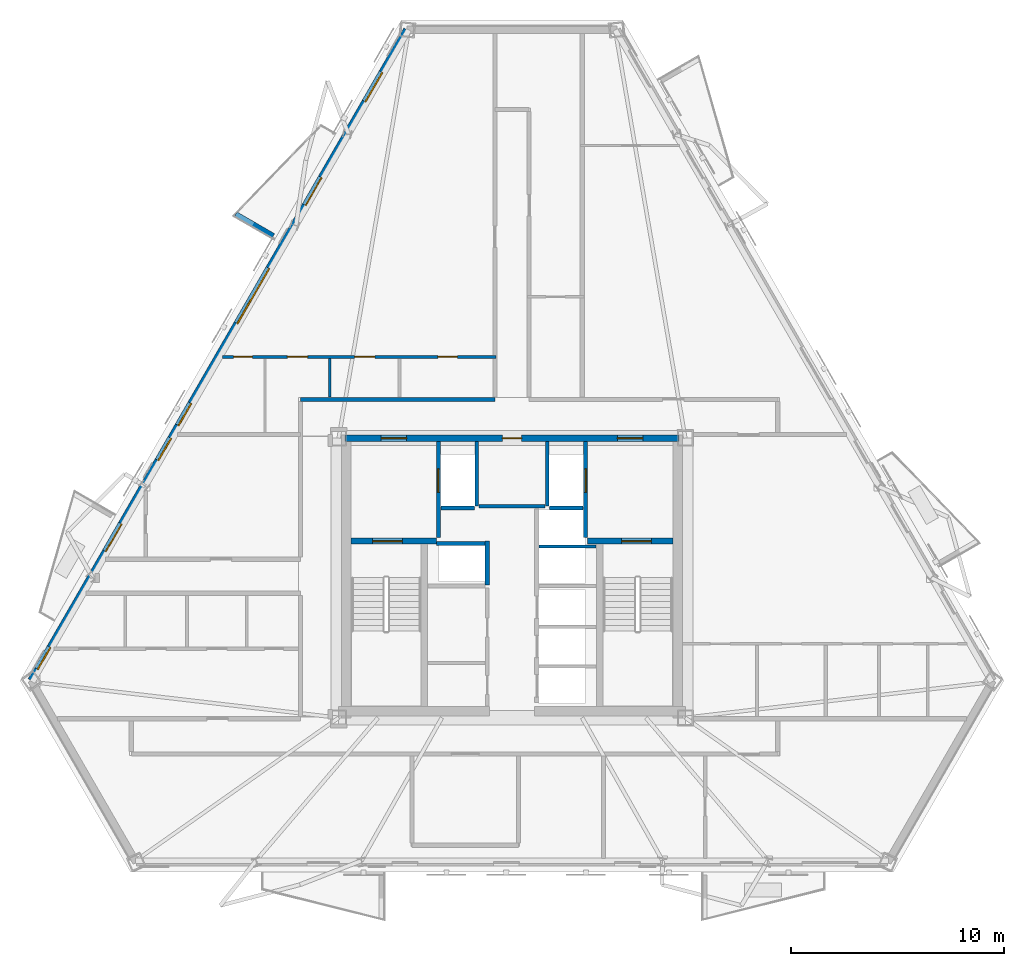
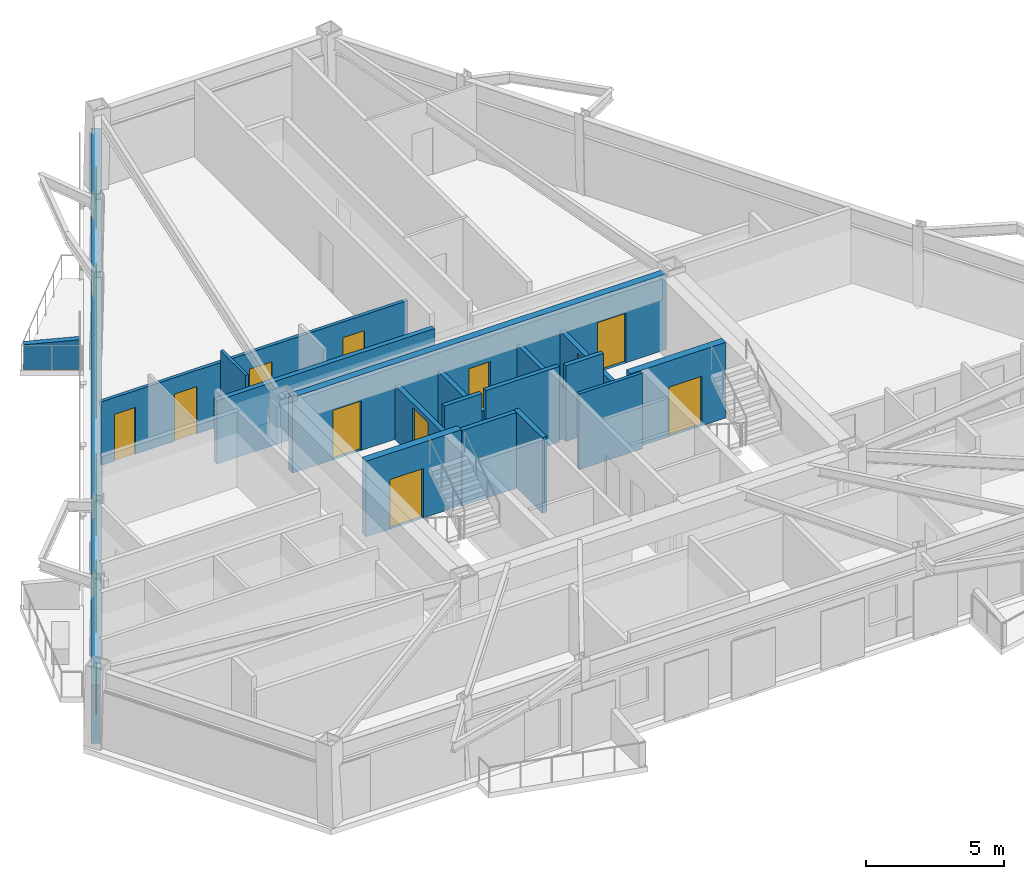
# One storey, part 4 of 9: 18 walls, 13 doors, 5 windows, 18 openings.
"""IFC4 building model written with IfcOpenShell, lengths in metres."""

from ifc_helpers import new_model, si_unit, direction, frame, frame_2d, origin, place, context, subcontext, project, spatial, polyline, rectangle, outline, extrude, material, layer, layer_set, type_object, element, fill, save


model = new_model("IFC4")

# Units and contexts
model_context = context("Model", 3, precision=1e-05, world=origin(), true_north=direction((0.0, 1.0)))
body_context = subcontext(model_context, "Body", "Model", "MODEL_VIEW")
ifc_project = project(units=[si_unit("LENGTHUNIT", "METRE"), si_unit("AREAUNIT", "SQUARE_METRE"), si_unit("VOLUMEUNIT", "CUBIC_METRE"), si_unit("PLANEANGLEUNIT", "RADIAN"), si_unit("MASSUNIT", "GRAM", prefix="KILO")], contexts=[model_context])

# Site, building, storey
site_placement = place(None, origin())
site = spatial("IfcSite", under=ifc_project, at=site_placement, CompositionType="ELEMENT")
building_placement = place(site_placement, origin())
building = spatial("IfcBuilding", under=site, at=building_placement, Name="Oramaril Tower", CompositionType="ELEMENT")
storey_placement = place(building_placement, frame((0.0, 0.0, 142.199951171875)))
storey = spatial("IfcBuildingStorey", under=building, at=storey_placement, Name="L37", CompositionType="ELEMENT", Elevation=142.199951171875)

# Wall, openings, doors, windows
ifc_material_1 = material(Name="Warm Cream Limestone", Category="masonry")
ifc_layer_1 = layer(ifc_material_1, 0.340087890625)
ifc_layer_set_1 = layer_set([ifc_layer_1], Name="WT-EXT34")
wall_type_1 = type_object("IfcWallType", Name="WT-EXT34", PredefinedType="SOLIDWALL", material=ifc_layer_set_1)
wall_1_placement = place(storey_placement, frame((32.56396484375, 43.35009765625, 0.0), z_axis=(0.0, 0.0, 1.0), x_axis=(-0.500002563111, -0.866023923966, 0.0)))
wall_1 = element("IfcWall", 1, at=wall_1_placement, inside=storey, type_object=wall_type_1, Name="L37 Tower Limestone Facade Wall 6M", PredefinedType="SOLIDWALL", context=body_context, shape_type="SweptSolid", body=[
    extrude(rectangle(XDim=35.334228515625, YDim=0.340087890625, at=frame_2d((17.6669921875, 0.0))), origin(), (0.0, 0.0, 1.0), 2.580078125),
])
opening_1_placement = place(wall_1_placement, frame((8.034423828125, 0.0, 0.0)))
opening_1 = element("IfcOpeningElement", 2, at=opening_1_placement, cuts=wall_1, Name="Opening D-L37-BAL-NW1", PredefinedType="OPENING", context=body_context, shape_type="SweptSolid", body=[
    extrude(rectangle(XDim=1.5, YDim=2.199951171875, at=frame_2d((0.75, 1.10009765625))), frame((0.0, 0.169921875, 0.0), z_axis=(0.0, -1.0, 0.0), x_axis=(1.0, 0.0, 0.0)), (0.0, 0.0, 1.0), 0.340087890625),
])
opening_2_placement = place(wall_1_placement, frame((26.8349609375, 0.0, 0.0)))
opening_2 = element("IfcOpeningElement", 3, at=opening_2_placement, cuts=wall_1, Name="Opening D-L37-BAL-NW2", PredefinedType="OPENING", context=body_context, shape_type="SweptSolid", body=[
    extrude(rectangle(XDim=1.5, YDim=2.199951171875, at=frame_2d((0.75, 1.10009765625))), frame((0.0, 0.169921875, 0.0), z_axis=(0.0, -1.0, 0.0), x_axis=(1.0, 0.0, 0.0)), (0.0, 0.0, 1.0), 0.340087890625),
])
opening_3_placement = place(wall_1_placement, frame((22.184814453125, 0.0, 0.85009765625)))
opening_3 = element("IfcOpeningElement", 4, at=opening_3_placement, cuts=wall_1, Name="Opening WN-09", PredefinedType="OPENING", context=body_context, shape_type="SweptSolid", body=[
    extrude(rectangle(XDim=1.199951171875, YDim=1.47998046875, at=frame_2d((0.60009765625, 0.739990234375))), frame((0.0, 0.169921875, 0.0), z_axis=(0.0, -1.0, 0.0), x_axis=(1.0, 0.0, 0.0)), (0.0, 0.0, 1.0), 0.340087890625),
])
opening_4_placement = place(wall_1_placement, frame((2.318115234375, 0.0, 0.85009765625)))
opening_4 = element("IfcOpeningElement", 5, at=opening_4_placement, cuts=wall_1, Name="Opening WN-07", PredefinedType="OPENING", context=body_context, shape_type="SweptSolid", body=[
    extrude(rectangle(XDim=1.60009765625, YDim=1.6201171875, at=frame_2d((0.800048828125, 0.81005859375))), frame((0.0, 0.169921875, 0.0), z_axis=(0.0, -1.0, 0.0), x_axis=(1.0, 0.0, 0.0)), (0.0, 0.0, 1.0), 0.340087890625),
])
opening_5_placement = place(wall_1_placement, frame((12.959228515625, 0.0, 0.85009765625)))
opening_5 = element("IfcOpeningElement", 6, at=opening_5_placement, cuts=wall_1, Name="Opening WN-10", PredefinedType="OPENING", context=body_context, shape_type="SweptSolid", body=[
    extrude(rectangle(XDim=3.0, YDim=1.6201171875, at=frame_2d((1.5, 0.81005859375))), frame((0.0, 0.169921875, 0.0), z_axis=(0.0, -1.0, 0.0), x_axis=(1.0, 0.0, 0.0)), (0.0, 0.0, 1.0), 0.340087890625),
])
opening_6_placement = place(wall_1_placement, frame((20.29296875, 0.0, 0.85009765625)))
opening_6 = element("IfcOpeningElement", 7, at=opening_6_placement, cuts=wall_1, Name="Opening WN-09", PredefinedType="OPENING", context=body_context, shape_type="SweptSolid", body=[
    extrude(rectangle(XDim=1.199951171875, YDim=1.47998046875, at=frame_2d((0.60009765625, 0.739990234375))), frame((0.0, 0.169921875, 0.0), z_axis=(0.0, -1.0, 0.0), x_axis=(1.0, 0.0, 0.0)), (0.0, 0.0, 1.0), 0.340087890625),
])
opening_7_placement = place(wall_1_placement, frame((33.534912109375, 0.0, 0.85009765625)))
opening_7 = element("IfcOpeningElement", 8, at=opening_7_placement, cuts=wall_1, Name="Opening WN-09", PredefinedType="OPENING", context=body_context, shape_type="SweptSolid", body=[
    extrude(rectangle(XDim=1.199951171875, YDim=1.47998046875, at=frame_2d((0.60009765625, 0.739990234375))), frame((0.0, 0.169921875, 0.0), z_axis=(0.0, -1.0, 0.0), x_axis=(1.0, 0.0, 0.0)), (0.0, 0.0, 1.0), 0.340087890625),
])
ifc_material_2 = material(Name="Anodised Aluminium 6063-T6", Category="aluminium")
door_type_1 = type_object("IfcDoorType", Name="DT-BAL", OperationType="NOTDEFINED", PredefinedType="DOOR", material=ifc_material_2)
door_1_placement = place(opening_1_placement, origin())
door_1 = element("IfcDoor", 9, at=door_1_placement, inside=storey, type_object=door_type_1, Name="L37 Balcony Glazed Door L37-BAL-NW1", OperationType="SINGLE_SWING_RIGHT", OverallHeight=2.199951171875, OverallWidth=1.5, PredefinedType="DOOR", context=body_context, shape_type="SweptSolid", body=[
    extrude(rectangle(XDim=1.5, YDim=2.199951171875, at=frame_2d((0.75, 1.10009765625))), frame((0.0, 0.02490234375, 0.0), z_axis=(0.0, -1.0, 0.0), x_axis=(1.0, 0.0, 0.0)), (0.0, 0.0, 1.0), 0.050048828125),
])
fill(opening_1, door_1)
door_2_placement = place(opening_2_placement, origin())
door_2 = element("IfcDoor", 10, at=door_2_placement, inside=storey, type_object=door_type_1, Name="L37 Balcony Glazed Door L37-BAL-NW2", OperationType="SINGLE_SWING_LEFT", OverallHeight=2.199951171875, OverallWidth=1.5, PredefinedType="DOOR", context=body_context, shape_type="SweptSolid", body=[
    extrude(rectangle(XDim=1.5, YDim=2.199951171875, at=frame_2d((0.75, 1.10009765625))), frame((0.0, 0.02490234375, 0.0), z_axis=(0.0, -1.0, 0.0), x_axis=(1.0, 0.0, 0.0)), (0.0, 0.0, 1.0), 0.050048828125),
])
fill(opening_2, door_2)
ifc_material_3 = material(Name="Coastal Low-E Insulated Glass", Category="glass")
window_type_1 = type_object("IfcWindowType", Name="WNT-07", PartitioningType="SINGLE_PANEL", PredefinedType="WINDOW", material=ifc_material_3)
window_1_placement = place(opening_4_placement, origin())
window_1 = element("IfcWindow", 11, at=window_1_placement, inside=storey, type_object=window_type_1, Name="L37 Chicago Bay Window WN-07", OverallHeight=1.6201171875, OverallWidth=1.60009765625, PartitioningType="SINGLE_PANEL", PredefinedType="WINDOW", context=body_context, shape_type="SweptSolid", body=[
    extrude(rectangle(XDim=1.60009765625, YDim=1.6201171875, at=frame_2d((0.800048828125, 0.81005859375))), frame((0.0, 0.030029296875, 0.0), z_axis=(0.0, -1.0, 0.0), x_axis=(1.0, 0.0, 0.0)), (0.0, 0.0, 1.0), 0.06005859375),
])
fill(opening_4, window_1)
ifc_material_4 = material(Name="Coastal Low-E Insulated Glass", Category="glass")
window_type_2 = type_object("IfcWindowType", Name="WNT-09", PartitioningType="SINGLE_PANEL", PredefinedType="WINDOW", material=ifc_material_4)
window_2_placement = place(opening_3_placement, origin())
window_2 = element("IfcWindow", 12, at=window_2_placement, inside=storey, type_object=window_type_2, Name="L37 Chicago Bay Window WN-09", OverallHeight=1.47998046875, OverallWidth=1.199951171875, PartitioningType="SINGLE_PANEL", PredefinedType="WINDOW", context=body_context, shape_type="SweptSolid", body=[
    extrude(rectangle(XDim=1.199951171875, YDim=1.47998046875, at=frame_2d((0.60009765625, 0.739990234375))), frame((0.0, 0.030029296875, 0.0), z_axis=(0.0, -1.0, 0.0), x_axis=(1.0, 0.0, 0.0)), (0.0, 0.0, 1.0), 0.06005859375),
])
fill(opening_3, window_2)
window_3_placement = place(opening_6_placement, origin())
window_3 = element("IfcWindow", 13, at=window_3_placement, inside=storey, type_object=window_type_2, Name="L37 Chicago Bay Window WN-09", OverallHeight=1.47998046875, OverallWidth=1.199951171875, PartitioningType="SINGLE_PANEL", PredefinedType="WINDOW", context=body_context, shape_type="SweptSolid", body=[
    extrude(rectangle(XDim=1.199951171875, YDim=1.47998046875, at=frame_2d((0.60009765625, 0.739990234375))), frame((0.0, 0.030029296875, 0.0), z_axis=(0.0, -1.0, 0.0), x_axis=(1.0, 0.0, 0.0)), (0.0, 0.0, 1.0), 0.06005859375),
])
fill(opening_6, window_3)
window_4_placement = place(opening_7_placement, origin())
window_4 = element("IfcWindow", 14, at=window_4_placement, inside=storey, type_object=window_type_2, Name="L37 Apartment Bedroom Window WN-09", OverallHeight=1.47998046875, OverallWidth=1.199951171875, PartitioningType="SINGLE_PANEL", PredefinedType="WINDOW", context=body_context, shape_type="SweptSolid", body=[
    extrude(rectangle(XDim=1.199951171875, YDim=1.47998046875, at=frame_2d((0.60009765625, 0.739990234375))), frame((0.0, 0.030029296875, 0.0), z_axis=(0.0, -1.0, 0.0), x_axis=(1.0, 0.0, 0.0)), (0.0, 0.0, 1.0), 0.06005859375),
])
fill(opening_7, window_4)
ifc_material_5 = material(Name="Coastal Low-E Insulated Glass", Category="glass")
window_type_3 = type_object("IfcWindowType", Name="WNT-10", PartitioningType="SINGLE_PANEL", PredefinedType="WINDOW", material=ifc_material_5)
window_5_placement = place(opening_5_placement, origin())
window_5 = element("IfcWindow", 15, at=window_5_placement, inside=storey, type_object=window_type_3, Name="L37 Chicago Bay Window WN-10", OverallHeight=1.6201171875, OverallWidth=3.0, PartitioningType="SINGLE_PANEL", PredefinedType="WINDOW", context=body_context, shape_type="SweptSolid", body=[
    extrude(rectangle(XDim=3.0, YDim=1.6201171875, at=frame_2d((1.5, 0.81005859375))), frame((0.0, 0.030029296875, 0.0), z_axis=(0.0, -1.0, 0.0), x_axis=(1.0, 0.0, 0.0)), (0.0, 0.0, 1.0), 0.06005859375),
])
fill(opening_5, window_5)

# Walls
ifc_material_6 = material(Name="Concrete C40/50", Category="concrete")
ifc_layer_2 = layer(ifc_material_6, 0.22998046875)
ifc_layer_set_2 = layer_set([ifc_layer_2], Name="WT-PRP23")
wall_type_2 = type_object("IfcWallType", Name="WT-PRP23", PredefinedType="PARAPET", material=ifc_layer_set_2)
wall_2_placement = place(storey_placement, frame((26.28125, 33.664306640625, 0.0), z_axis=(0.0, 0.0, 1.0), x_axis=(-0.866012356593, 0.500022597718, 0.0)))
element("IfcWall", 16, at=wall_2_placement, inside=storey, type_object=wall_type_2, Name="L37 Trapezoidal Balcony Frame Cheek L37-BAL-NW1-R", PredefinedType="PARAPET", context=body_context, shape_type="SweptSolid", body=[
    extrude(outline(polyline([(0.0, 0.0), (2.0419921875, 0.0), (2.0419921875, 1.10009765625), (0.0, 1.320068359375), (0.0, 0.0)])), frame((0.0, 0.114990234375, 0.0), z_axis=(0.0, -1.0, 0.0), x_axis=(1.0, 0.0, 0.0)), (0.0, 0.0, 1.0), 0.22998046875),
])
ifc_material_7 = material(Name="Acoustic Gypsum Board Partition")
ifc_layer_3 = layer(ifc_material_7, 0.1201171875)
ifc_layer_set_3 = layer_set([ifc_layer_3], Name="WT-PT12")
wall_type_3 = type_object("IfcWallType", Name="WT-PT12", PredefinedType="PARTITIONING", material=ifc_layer_set_3)
wall_3_placement = place(storey_placement, frame((28.929931640625, 26.073974609375, 0.0), z_axis=(0.0, 0.0, 1.0), x_axis=(0.0, 1.0, 0.0)))
element("IfcWall", 17, at=wall_3_placement, inside=storey, type_object=wall_type_3, Name="L37 Interior Partition PT-12", PredefinedType="PARTITIONING", context=body_context, shape_type="SweptSolid", body=[
    extrude(rectangle(XDim=1.822021484375, YDim=0.1201171875, at=frame_2d((0.9111328125, 0.0))), origin(), (0.0, 0.0, 1.0), 3.360107421875),
])
ifc_material_8 = material(Name="Acoustic Gypsum Board Partition")
ifc_layer_4 = layer(ifc_material_8, 0.139892578125)
ifc_layer_set_4 = layer_set([ifc_layer_4], Name="WT-PT14")
wall_type_4 = type_object("IfcWallType", Name="WT-PT14", PredefinedType="PARTITIONING", material=ifc_layer_set_4)
wall_4_placement = place(storey_placement, frame((38.780029296875, 19.050048828125, 0.0), z_axis=(0.0, 0.0, 1.0), x_axis=(1.0, 0.0, 0.0)))
element("IfcWall", 18, at=wall_4_placement, inside=storey, type_object=wall_type_4, Name="L37 East Lift Divider", PredefinedType="PARTITIONING", context=body_context, shape_type="SweptSolid", body=[
    extrude(rectangle(XDim=2.659912109375, YDim=0.139892578125, at=frame_2d((1.330078125, 0.0))), origin(), (0.0, 0.0, 1.0), 3.360107421875),
])

# Wall, openings, doors
wall_5_placement = place(storey_placement, frame((23.885009765625, 27.969970703125, 0.0), z_axis=(0.0, 0.0, 1.0), x_axis=(1.0, 0.0, 0.0)))
wall_5 = element("IfcWall", 19, at=wall_5_placement, inside=storey, type_object=wall_type_4, Name="L37 Interior Partition PT-14", PredefinedType="PARTITIONING", context=body_context, shape_type="SweptSolid", body=[
    extrude(rectangle(XDim=12.864990234375, YDim=0.139892578125, at=frame_2d((6.4326171875, 0.0))), origin(), (0.0, 0.0, 1.0), 2.822021484375),
])
opening_8_placement = place(wall_5_placement, frame((0.531005859375, 0.0, 0.0)))
opening_8 = element("IfcOpeningElement", 20, at=opening_8_placement, cuts=wall_5, Name="Opening D-L37-16", PredefinedType="OPENING", context=body_context, shape_type="SweptSolid", body=[
    extrude(rectangle(XDim=0.8798828125, YDim=2.080078125, at=frame_2d((0.43994140625, 1.0400390625))), frame((0.0, 0.06982421875, 0.0), z_axis=(0.0, -1.0, 0.0), x_axis=(1.0, 0.0, 0.0)), (0.0, 0.0, 1.0), 0.139892578125),
])
opening_9_placement = place(wall_5_placement, frame((3.049560546875, 0.0, 0.0)))
opening_9 = element("IfcOpeningElement", 21, at=opening_9_placement, cuts=wall_5, Name="Opening D-L37-17", PredefinedType="OPENING", context=body_context, shape_type="SweptSolid", body=[
    extrude(rectangle(XDim=0.949951171875, YDim=2.10009765625, at=frame_2d((0.47509765625, 1.050048828125))), frame((0.0, 0.06982421875, 0.0), z_axis=(0.0, -1.0, 0.0), x_axis=(1.0, 0.0, 0.0)), (0.0, 0.0, 1.0), 0.139892578125),
])
opening_10_placement = place(wall_5_placement, frame((6.211669921875, 0.0, 0.0)))
opening_10 = element("IfcOpeningElement", 22, at=opening_10_placement, cuts=wall_5, Name="Opening D-L37-18", PredefinedType="OPENING", context=body_context, shape_type="SweptSolid", body=[
    extrude(rectangle(XDim=0.949951171875, YDim=2.10009765625, at=frame_2d((0.47509765625, 1.050048828125))), frame((0.0, 0.06982421875, 0.0), z_axis=(0.0, -1.0, 0.0), x_axis=(1.0, 0.0, 0.0)), (0.0, 0.0, 1.0), 0.139892578125),
])
opening_11_placement = place(wall_5_placement, frame((10.124267578125, 0.0, 0.0)))
opening_11 = element("IfcOpeningElement", 23, at=opening_11_placement, cuts=wall_5, Name="Opening D-L37-19", PredefinedType="OPENING", context=body_context, shape_type="SweptSolid", body=[
    extrude(rectangle(XDim=0.919921875, YDim=2.1201171875, at=frame_2d((0.4599609375, 1.06005859375))), frame((0.0, 0.06982421875, 0.0), z_axis=(0.0, -1.0, 0.0), x_axis=(1.0, 0.0, 0.0)), (0.0, 0.0, 1.0), 0.139892578125),
])
ifc_material_9 = material(Name="FSC Brazilian Freijo Hardwood", Category="wood")
door_type_2 = type_object("IfcDoorType", Name="DT-BATH", OperationType="NOTDEFINED", PredefinedType="DOOR", material=ifc_material_9)
door_3_placement = place(opening_8_placement, origin())
door_3 = element("IfcDoor", 24, at=door_3_placement, inside=storey, type_object=door_type_2, Name="L37 Flat L37-U6 Bathroom Door D-L37-16", OperationType="SINGLE_SWING_LEFT", OverallHeight=2.080078125, OverallWidth=0.8798828125, PredefinedType="DOOR", context=body_context, shape_type="SweptSolid", body=[
    extrude(rectangle(XDim=0.8798828125, YDim=2.080078125, at=frame_2d((0.43994140625, 1.0400390625))), frame((0.0, 0.02490234375, 0.0), z_axis=(0.0, -1.0, 0.0), x_axis=(1.0, 0.0, 0.0)), (0.0, 0.0, 1.0), 0.050048828125),
])
fill(opening_8, door_3)
ifc_material_10 = material(Name="FSC Brazilian Freijo Hardwood", Category="wood")
door_type_3 = type_object("IfcDoorType", Name="DT-BED", OperationType="NOTDEFINED", PredefinedType="DOOR", material=ifc_material_10)
door_4_placement = place(opening_11_placement, origin())
door_4 = element("IfcDoor", 25, at=door_4_placement, inside=storey, type_object=door_type_3, Name="L37 Flat L37-U6 Master Bedroom Door D-L37-19", OperationType="SINGLE_SWING_RIGHT", OverallHeight=2.1201171875, OverallWidth=0.919921875, PredefinedType="DOOR", context=body_context, shape_type="SweptSolid", body=[
    extrude(rectangle(XDim=0.919921875, YDim=2.1201171875, at=frame_2d((0.4599609375, 1.06005859375))), frame((0.0, 0.02490234375, 0.0), z_axis=(0.0, -1.0, 0.0), x_axis=(1.0, 0.0, 0.0)), (0.0, 0.0, 1.0), 0.050048828125),
])
fill(opening_11, door_4)
ifc_material_11 = material(Name="FSC Brazilian Freijo Hardwood", Category="wood")
door_type_4 = type_object("IfcDoorType", Name="DT-STDY", OperationType="NOTDEFINED", PredefinedType="DOOR", material=ifc_material_11)
door_5_placement = place(opening_9_placement, origin())
door_5 = element("IfcDoor", 26, at=door_5_placement, inside=storey, type_object=door_type_4, Name="L37 Flat L37-U6 Kitchen Door D-L37-17", OperationType="SINGLE_SWING_RIGHT", OverallHeight=2.10009765625, OverallWidth=0.949951171875, PredefinedType="DOOR", context=body_context, shape_type="SweptSolid", body=[
    extrude(rectangle(XDim=0.949951171875, YDim=2.10009765625, at=frame_2d((0.47509765625, 1.050048828125))), frame((0.0, 0.02490234375, 0.0), z_axis=(0.0, -1.0, 0.0), x_axis=(1.0, 0.0, 0.0)), (0.0, 0.0, 1.0), 0.050048828125),
])
fill(opening_9, door_5)
door_6_placement = place(opening_10_placement, origin())
door_6 = element("IfcDoor", 27, at=door_6_placement, inside=storey, type_object=door_type_4, Name="L37 Flat L37-U6 Home Office Door D-L37-18", OperationType="SINGLE_SWING_LEFT", OverallHeight=2.10009765625, OverallWidth=0.949951171875, PredefinedType="DOOR", context=body_context, shape_type="SweptSolid", body=[
    extrude(rectangle(XDim=0.949951171875, YDim=2.10009765625, at=frame_2d((0.47509765625, 1.050048828125))), frame((0.0, 0.02490234375, 0.0), z_axis=(0.0, -1.0, 0.0), x_axis=(1.0, 0.0, 0.0)), (0.0, 0.0, 1.0), 0.050048828125),
])
fill(opening_10, door_6)

# Walls
ifc_material_12 = material(Name="Autoclaved Cellular Concrete Block", Category="concrete")
ifc_layer_5 = layer(ifc_material_12, 0.179931640625)
ifc_layer_set_5 = layer_set([ifc_layer_5], Name="WT-PT18")
wall_type_5 = type_object("IfcWallType", Name="WT-PT18", PredefinedType="PARTITIONING", material=ifc_layer_set_5)
wall_6_placement = place(storey_placement, frame((35.840087890625, 20.9599609375, 0.0), z_axis=(0.0, 0.0, 1.0), x_axis=(0.0, 1.0, 0.0)))
element("IfcWall", 28, at=wall_6_placement, inside=storey, type_object=wall_type_5, Name="L37 FL-1 East Shaft Wall", PredefinedType="PARTITIONING", context=body_context, shape_type="SweptSolid", body=[
    extrude(rectangle(XDim=3.02001953125, YDim=0.179931640625, at=frame_2d((1.510009765625, 0.0))), origin(), (0.0, 0.0, 1.0), 2.400146484375),
])
wall_7_placement = place(storey_placement, frame((34.159912109375, 20.860107421875, 0.0), z_axis=(0.0, 0.0, 1.0), x_axis=(1.0, 0.0, 0.0)))
element("IfcWall", 29, at=wall_7_placement, inside=storey, type_object=wall_type_5, Name="L37 FL-1 South Shaft Wall", PredefinedType="PARTITIONING", context=body_context, shape_type="SweptSolid", body=[
    extrude(rectangle(XDim=1.580078125, YDim=0.179931640625, at=frame_2d((0.7900390625, 0.0))), origin(), (0.0, 0.0, 1.0), 3.360107421875),
])
wall_8_placement = place(storey_placement, frame((39.159912109375, 20.9599609375, 0.0), z_axis=(0.0, 0.0, 1.0), x_axis=(0.0, 1.0, 0.0)))
element("IfcWall", 30, at=wall_8_placement, inside=storey, type_object=wall_type_5, Name="L37 FL-2 West Shaft Wall", PredefinedType="PARTITIONING", context=body_context, shape_type="SweptSolid", body=[
    extrude(rectangle(XDim=3.02001953125, YDim=0.179931640625, at=frame_2d((1.510009765625, 0.0))), origin(), (0.0, 0.0, 1.0), 2.400146484375),
])
wall_9_placement = place(storey_placement, frame((39.260009765625, 20.860107421875, 0.0), z_axis=(0.0, 0.0, 1.0), x_axis=(1.0, 0.0, 0.0)))
element("IfcWall", 31, at=wall_9_placement, inside=storey, type_object=wall_type_5, Name="L37 FL-2 South Shaft Wall", PredefinedType="PARTITIONING", context=body_context, shape_type="SweptSolid", body=[
    extrude(rectangle(XDim=1.580078125, YDim=0.179931640625, at=frame_2d((0.7900390625, 0.0))), origin(), (0.0, 0.0, 1.0), 3.360107421875),
])
wall_10_placement = place(storey_placement, frame((33.949951171875, 19.199951171875, 0.0), z_axis=(0.0, 0.0, 1.0), x_axis=(1.0, 0.0, 0.0)))
element("IfcWall", 32, at=wall_10_placement, inside=storey, type_object=wall_type_5, Name="L37 High-Rise Lift H1 North Shaft Wall", PredefinedType="PARTITIONING", context=body_context, shape_type="SweptSolid", body=[
    extrude(rectangle(XDim=2.27001953125, YDim=0.179931640625, at=frame_2d((1.135009765625, 0.0))), origin(), (0.0, 0.0, 1.0), 3.360107421875),
])
wall_11_placement = place(storey_placement, frame((35.949951171875, 20.949951171875, 0.0), z_axis=(0.0, 0.0, 1.0), x_axis=(1.0, 0.0, 0.0)))
element("IfcWall", 33, at=wall_11_placement, inside=storey, type_object=wall_type_5, Name="L37 Lift Lobby North Partition", PredefinedType="PARTITIONING", context=body_context, shape_type="SweptSolid", body=[
    extrude(rectangle(XDim=3.10009765625, YDim=0.179931640625, at=frame_2d((1.550048828125, 0.0))), origin(), (0.0, 0.0, 1.0), 3.360107421875),
])
ifc_material_13 = material(Name="Autoclaved Cellular Concrete Block", Category="concrete")
ifc_layer_6 = layer(ifc_material_13, 0.199951171875)
ifc_layer_set_6 = layer_set([ifc_layer_6], Name="WT-PT20")
wall_type_6 = type_object("IfcWallType", Name="WT-PT20", PredefinedType="PARTITIONING", material=ifc_layer_set_6)
wall_12_placement = place(storey_placement, frame((27.550048828125, 25.969970703125, 0.0), z_axis=(0.0, 0.0, 1.0), x_axis=(1.0, 0.0, 0.0)))
element("IfcWall", 34, at=wall_12_placement, inside=storey, type_object=wall_type_6, Name="L37 Interior Partition PT-20", PredefinedType="PARTITIONING", context=body_context, shape_type="SweptSolid", body=[
    extrude(rectangle(XDim=9.14990234375, YDim=0.199951171875, at=frame_2d((4.574951171875, 0.0))), origin(), (0.0, 0.0, 1.0), 2.822021484375),
])

# Wall, openings, doors
ifc_material_14 = material(Name="Concrete C50/60", Category="concrete")
ifc_layer_7 = layer(ifc_material_14, 0.300048828125)
ifc_layer_set_7 = layer_set([ifc_layer_7], Name="WT-SH30")
wall_type_7 = type_object("IfcWallType", Name="WT-SH30", PredefinedType="SHEAR", material=ifc_layer_set_7)
wall_13_placement = place(storey_placement, frame((29.64990234375, 24.14990234375, 0.0), z_axis=(0.0, 0.0, 1.0), x_axis=(1.0, 0.0, 0.0)))
wall_13 = element("IfcWall", 35, at=wall_13_placement, inside=storey, type_object=wall_type_7, Name="L37 Core Shear Wall CW-N", PredefinedType="SHEAR", context=body_context, shape_type="SweptSolid", body=[
    extrude(rectangle(XDim=15.7001953125, YDim=0.300048828125, at=frame_2d((7.85009765625, 0.0))), origin(), (0.0, 0.0, 1.0), 3.360107421875),
])
opening_12_placement = place(wall_13_placement, frame((1.699951171875, 0.0, 0.0)))
opening_12 = element("IfcOpeningElement", 36, at=opening_12_placement, cuts=wall_13, Name="Opening D-L37-FFL1", PredefinedType="OPENING", context=body_context, shape_type="SweptSolid", body=[
    extrude(rectangle(XDim=1.199951171875, YDim=2.199951171875, at=frame_2d((0.60009765625, 1.10009765625))), frame((0.0, 0.14990234375, 0.0), z_axis=(0.0, -1.0, 0.0), x_axis=(1.0, 0.0, 0.0)), (0.0, 0.0, 1.0), 0.300048828125),
])
opening_13_placement = place(wall_13_placement, frame((12.800048828125, 0.0, 0.0)))
opening_13 = element("IfcOpeningElement", 37, at=opening_13_placement, cuts=wall_13, Name="Opening D-L37-FFL2", PredefinedType="OPENING", context=body_context, shape_type="SweptSolid", body=[
    extrude(rectangle(XDim=1.199951171875, YDim=2.199951171875, at=frame_2d((0.60009765625, 1.10009765625))), frame((0.0, 0.14990234375, 0.0), z_axis=(0.0, -1.0, 0.0), x_axis=(1.0, 0.0, 0.0)), (0.0, 0.0, 1.0), 0.300048828125),
])
opening_14_placement = place(wall_13_placement, frame((7.39990234375, 0.0, 0.0)))
opening_14 = element("IfcOpeningElement", 38, at=opening_14_placement, cuts=wall_13, Name="Opening D-L37-SV1", PredefinedType="OPENING", context=body_context, shape_type="SweptSolid", body=[
    extrude(rectangle(XDim=0.89990234375, YDim=2.050048828125, at=frame_2d((0.449951171875, 1.02490234375))), frame((0.0, 0.14990234375, 0.0), z_axis=(0.0, -1.0, 0.0), x_axis=(1.0, 0.0, 0.0)), (0.0, 0.0, 1.0), 0.300048828125),
])
ifc_material_15 = material(Name="Painted Galvanised Steel", Category="steel")
door_type_5 = type_object("IfcDoorType", Name="DT-FFL", OperationType="NOTDEFINED", PredefinedType="DOOR", material=ifc_material_15)
door_7_placement = place(opening_12_placement, origin())
door_7 = element("IfcDoor", 39, at=door_7_placement, inside=storey, type_object=door_type_5, Name="L37 Firefighting Lobby 1 Fire Door", OperationType="SINGLE_SWING_LEFT", OverallHeight=2.199951171875, OverallWidth=1.199951171875, PredefinedType="DOOR", context=body_context, shape_type="SweptSolid", body=[
    extrude(rectangle(XDim=1.199951171875, YDim=2.199951171875, at=frame_2d((0.60009765625, 1.10009765625))), frame((0.0, 0.02490234375, 0.0), z_axis=(0.0, -1.0, 0.0), x_axis=(1.0, 0.0, 0.0)), (0.0, 0.0, 1.0), 0.050048828125),
])
fill(opening_12, door_7)
door_8_placement = place(opening_13_placement, origin())
door_8 = element("IfcDoor", 40, at=door_8_placement, inside=storey, type_object=door_type_5, Name="L37 Firefighting Lobby 2 Fire Door", OperationType="SINGLE_SWING_RIGHT", OverallHeight=2.199951171875, OverallWidth=1.199951171875, PredefinedType="DOOR", context=body_context, shape_type="SweptSolid", body=[
    extrude(rectangle(XDim=1.199951171875, YDim=2.199951171875, at=frame_2d((0.60009765625, 1.10009765625))), frame((0.0, 0.02490234375, 0.0), z_axis=(0.0, -1.0, 0.0), x_axis=(1.0, 0.0, 0.0)), (0.0, 0.0, 1.0), 0.050048828125),
])
fill(opening_13, door_8)
ifc_material_16 = material(Name="Painted Galvanised Steel", Category="steel")
door_type_6 = type_object("IfcDoorType", Name="DT-SVC", OperationType="NOTDEFINED", PredefinedType="DOOR", material=ifc_material_16)
door_9_placement = place(opening_14_placement, origin())
door_9 = element("IfcDoor", 41, at=door_9_placement, inside=storey, type_object=door_type_6, Name="L37 Core Janitor Store Door", OperationType="SINGLE_SWING_LEFT", OverallHeight=2.050048828125, OverallWidth=0.89990234375, PredefinedType="DOOR", context=body_context, shape_type="SweptSolid", body=[
    extrude(rectangle(XDim=0.89990234375, YDim=2.050048828125, at=frame_2d((0.449951171875, 1.02490234375))), frame((0.0, 0.02490234375, 0.0), z_axis=(0.0, -1.0, 0.0), x_axis=(1.0, 0.0, 0.0)), (0.0, 0.0, 1.0), 0.050048828125),
])
fill(opening_14, door_9)

# Wall, opening, door
wall_14_placement = place(storey_placement, frame((29.93994140625, 19.31005859375, 0.0), z_axis=(0.0, 0.0, 1.0), x_axis=(1.0, 0.0, 0.0)))
wall_14 = element("IfcWall", 42, at=wall_14_placement, inside=storey, type_object=wall_type_7, Name="L37 Core Shear Wall CW-ST1N", PredefinedType="SHEAR", context=body_context, shape_type="SweptSolid", body=[
    extrude(rectangle(XDim=4.010009765625, YDim=0.300048828125, at=frame_2d((2.0048828125, 0.0))), origin(), (0.0, 0.0, 1.0), 3.360107421875),
])
opening_15_placement = place(wall_14_placement, frame((1.010009765625, 0.0, 0.0)))
opening_15 = element("IfcOpeningElement", 43, at=opening_15_placement, cuts=wall_14, Name="Opening D-L37-ST1", PredefinedType="OPENING", context=body_context, shape_type="SweptSolid", body=[
    extrude(rectangle(XDim=1.39990234375, YDim=2.199951171875, at=frame_2d((0.699951171875, 1.10009765625))), frame((0.0, 0.14990234375, 0.0), z_axis=(0.0, -1.0, 0.0), x_axis=(1.0, 0.0, 0.0)), (0.0, 0.0, 1.0), 0.300048828125),
])
ifc_material_17 = material(Name="Painted Galvanised Steel", Category="steel")
door_type_7 = type_object("IfcDoorType", Name="DT-ST", OperationType="NOTDEFINED", PredefinedType="DOOR", material=ifc_material_17)
door_10_placement = place(opening_15_placement, origin())
door_10 = element("IfcDoor", 44, at=door_10_placement, inside=storey, type_object=door_type_7, Name="L37 Protected Stair ST-1 Fire Door", OperationType="SINGLE_SWING_LEFT", OverallHeight=2.199951171875, OverallWidth=1.39990234375, PredefinedType="DOOR", context=body_context, shape_type="SweptSolid", body=[
    extrude(rectangle(XDim=1.39990234375, YDim=2.199951171875, at=frame_2d((0.699951171875, 1.10009765625))), frame((0.0, 0.02490234375, 0.0), z_axis=(0.0, -1.0, 0.0), x_axis=(1.0, 0.0, 0.0)), (0.0, 0.0, 1.0), 0.050048828125),
])
fill(opening_15, door_10)

wall_15_placement = place(storey_placement, frame((41.050048828125, 19.31005859375, 0.0), z_axis=(0.0, 0.0, 1.0), x_axis=(1.0, 0.0, 0.0)))
wall_15 = element("IfcWall", 45, at=wall_15_placement, inside=storey, type_object=wall_type_7, Name="L37 Core Shear Wall CW-ST2N", PredefinedType="SHEAR", context=body_context, shape_type="SweptSolid", body=[
    extrude(rectangle(XDim=4.010009765625, YDim=0.300048828125, at=frame_2d((2.0048828125, 0.0))), origin(), (0.0, 0.0, 1.0), 3.360107421875),
])
opening_16_placement = place(wall_15_placement, frame((1.60009765625, 0.0, 0.0)))
opening_16 = element("IfcOpeningElement", 46, at=opening_16_placement, cuts=wall_15, Name="Opening D-L37-ST2", PredefinedType="OPENING", context=body_context, shape_type="SweptSolid", body=[
    extrude(rectangle(XDim=1.39990234375, YDim=2.199951171875, at=frame_2d((0.699951171875, 1.10009765625))), frame((0.0, 0.14990234375, 0.0), z_axis=(0.0, -1.0, 0.0), x_axis=(1.0, 0.0, 0.0)), (0.0, 0.0, 1.0), 0.300048828125),
])
door_11_placement = place(opening_16_placement, origin())
door_11 = element("IfcDoor", 47, at=door_11_placement, inside=storey, type_object=door_type_7, Name="L37 Protected Stair ST-2 Fire Door", OperationType="SINGLE_SWING_RIGHT", OverallHeight=2.199951171875, OverallWidth=1.39990234375, PredefinedType="DOOR", context=body_context, shape_type="SweptSolid", body=[
    extrude(rectangle(XDim=1.39990234375, YDim=2.199951171875, at=frame_2d((0.699951171875, 1.10009765625))), frame((0.0, 0.02490234375, 0.0), z_axis=(0.0, -1.0, 0.0), x_axis=(1.0, 0.0, 0.0)), (0.0, 0.0, 1.0), 0.050048828125),
])
fill(opening_16, door_11)

ifc_material_18 = material(Name="Autoclaved Cellular Concrete Block", Category="concrete")
ifc_layer_8 = layer(ifc_material_18, 0.199951171875)
ifc_layer_set_8 = layer_set([ifc_layer_8], Name="WT-SHF20")
wall_type_8 = type_object("IfcWallType", Name="WT-SHF20", PredefinedType="PARTITIONING", material=ifc_layer_set_8)
wall_16_placement = place(storey_placement, frame((34.0400390625, 19.47998046875, 0.0), z_axis=(0.0, 0.0, 1.0), x_axis=(0.0, 1.0, 0.0)))
wall_16 = element("IfcWall", 48, at=wall_16_placement, inside=storey, type_object=wall_type_8, Name="L37 FL-1 Lobby Shaft Wall", PredefinedType="PARTITIONING", context=body_context, shape_type="SweptSolid", body=[
    extrude(rectangle(XDim=4.5, YDim=0.199951171875, at=frame_2d((2.25, 0.0))), origin(), (0.0, 0.0, 1.0), 2.400146484375),
])
opening_17_placement = place(wall_16_placement, frame((2.1201171875, 0.0, 0.0)))
opening_17 = element("IfcOpeningElement", 49, at=opening_17_placement, cuts=wall_16, Name="Opening LD-L37-FL-1", PredefinedType="OPENING", context=body_context, shape_type="SweptSolid", body=[
    extrude(rectangle(XDim=1.10009765625, YDim=2.199951171875, at=frame_2d((0.550048828125, 1.10009765625))), frame((0.0, 0.10009765625, 0.0), z_axis=(0.0, -1.0, 0.0), x_axis=(1.0, 0.0, 0.0)), (0.0, 0.0, 1.0), 0.199951171875),
])
ifc_material_19 = material(Name="Stainless Steel 316L", Category="steel")
door_type_8 = type_object("IfcDoorType", Name="DT-LD1", OperationType="NOTDEFINED", PredefinedType="DOOR", material=ifc_material_19)
door_12_placement = place(opening_17_placement, origin())
door_12 = element("IfcDoor", 50, at=door_12_placement, inside=storey, type_object=door_type_8, Name="L37 Lift FL-1 Sliding Landing Door", OperationType="SLIDING_TO_LEFT", OverallHeight=2.199951171875, OverallWidth=1.10009765625, PredefinedType="DOOR", context=body_context, shape_type="SweptSolid", body=[
    extrude(rectangle(XDim=1.10009765625, YDim=2.199951171875, at=frame_2d((0.550048828125, 1.10009765625))), frame((0.0, 0.02490234375, 0.0), z_axis=(0.0, -1.0, 0.0), x_axis=(1.0, 0.0, 0.0)), (0.0, 0.0, 1.0), 0.050048828125),
])
fill(opening_17, door_12)

wall_17_placement = place(storey_placement, frame((40.9599609375, 19.47998046875, 0.0), z_axis=(0.0, 0.0, 1.0), x_axis=(0.0, 1.0, 0.0)))
wall_17 = element("IfcWall", 51, at=wall_17_placement, inside=storey, type_object=wall_type_8, Name="L37 FL-2 Lobby Shaft Wall", PredefinedType="PARTITIONING", context=body_context, shape_type="SweptSolid", body=[
    extrude(rectangle(XDim=4.5, YDim=0.199951171875, at=frame_2d((2.25, 0.0))), origin(), (0.0, 0.0, 1.0), 2.400146484375),
])
opening_18_placement = place(wall_17_placement, frame((2.1201171875, 0.0, 0.0)))
opening_18 = element("IfcOpeningElement", 52, at=opening_18_placement, cuts=wall_17, Name="Opening LD-L37-FL-2", PredefinedType="OPENING", context=body_context, shape_type="SweptSolid", body=[
    extrude(rectangle(XDim=1.10009765625, YDim=2.199951171875, at=frame_2d((0.550048828125, 1.10009765625))), frame((0.0, 0.10009765625, 0.0), z_axis=(0.0, -1.0, 0.0), x_axis=(1.0, 0.0, 0.0)), (0.0, 0.0, 1.0), 0.199951171875),
])
door_13_placement = place(opening_18_placement, origin())
door_13 = element("IfcDoor", 53, at=door_13_placement, inside=storey, type_object=door_type_8, Name="L37 Lift FL-2 Sliding Landing Door", OperationType="SLIDING_TO_RIGHT", OverallHeight=2.199951171875, OverallWidth=1.10009765625, PredefinedType="DOOR", context=body_context, shape_type="SweptSolid", body=[
    extrude(rectangle(XDim=1.10009765625, YDim=2.199951171875, at=frame_2d((0.550048828125, 1.10009765625))), frame((0.0, 0.02490234375, 0.0), z_axis=(0.0, -1.0, 0.0), x_axis=(1.0, 0.0, 0.0)), (0.0, 0.0, 1.0), 0.050048828125),
])
fill(opening_18, door_13)

# Wall
wall_18_placement = place(storey_placement, frame((36.340087890625, 17.25, 0.0), z_axis=(0.0, 0.0, 1.0), x_axis=(0.0, 1.0, 0.0)))
element("IfcWall", 54, at=wall_18_placement, inside=storey, type_object=wall_type_8, Name="L37 High-Rise Lift H1 Front Wall", PredefinedType="PARTITIONING", context=body_context, shape_type="SweptSolid", body=[
    extrude(rectangle(XDim=2.070068359375, YDim=0.199951171875, at=frame_2d((1.03515625, 0.0))), origin(), (0.0, 0.0, 1.0), 3.360107421875),
])

save(model, "model.ifc")
